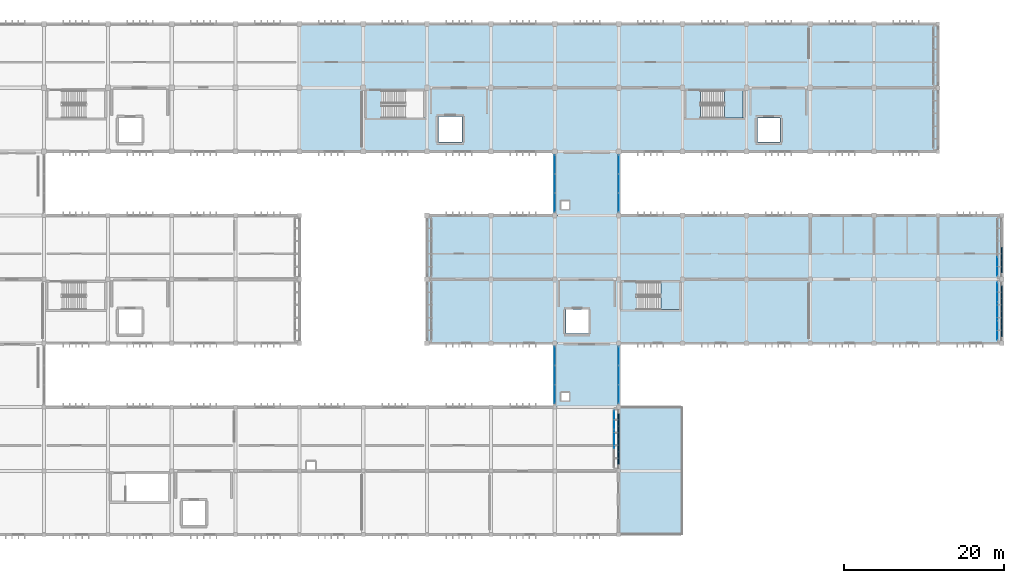
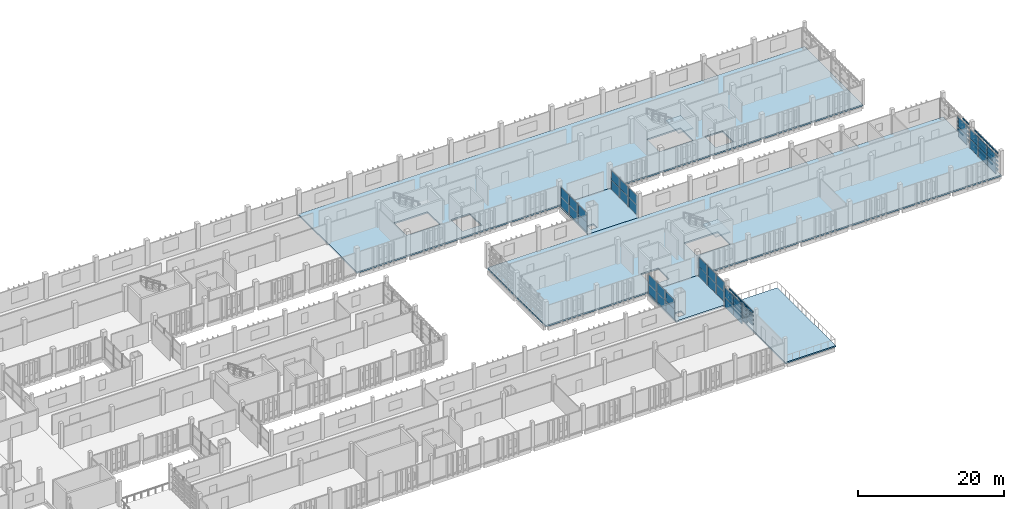
# One storey, part 42 of 63: 84 plates, 7 slabs, 9 elements without a shape of their own.
"""IFC4 building model written with IfcOpenShell, lengths in metres."""

from ifc_helpers import new_model, si_unit, direction, frame, origin, origin_2d, place, context, subcontext, project, spatial, polyline, rectangle, outline, extrude, material, layer, layer_set, type_object, element, aggregate, save


model = new_model("IFC4")

# Units and contexts
model_context = context("Model", 3, precision=1e-05, world=origin(), true_north=direction((0.0, 1.0)))
body_context = subcontext(model_context, "Body", "Model", "MODEL_VIEW")
ifc_project = project(units=[si_unit("LENGTHUNIT", "METRE"), si_unit("AREAUNIT", "SQUARE_METRE"), si_unit("VOLUMEUNIT", "CUBIC_METRE"), si_unit("PLANEANGLEUNIT", "RADIAN"), si_unit("MASSUNIT", "GRAM", prefix="KILO")], contexts=[model_context])

# Site, building, storey
site_placement = place(None, origin())
site = spatial("IfcSite", under=ifc_project, at=site_placement, CompositionType="ELEMENT")
building_placement = place(site_placement, origin())
building = spatial("IfcBuilding", under=site, at=building_placement, Name="Jelvoka-Kovrelna Polytechnic", CompositionType="ELEMENT")
storey_placement = place(building_placement, frame((0.0, 0.0, 18.0)))
storey = spatial("IfcBuildingStorey", under=building, at=storey_placement, Name="L05", CompositionType="ELEMENT", Elevation=18.0)

# Curtain wall, plates
ifc_material_1 = material(Name="Anodised aluminium 6063-T6", Category="aluminium")
ifc_layer_1 = layer(ifc_material_1, 0.159912109375)
ifc_layer_set_1 = layer_set([ifc_layer_1], Name="Anodised aluminium 6063-T6")
curtain_wall_type_1 = type_object("IfcCurtainWallType", Name="CW_Recessed_A", PredefinedType="NOTDEFINED", material=ifc_layer_set_1)
curtain_wall_1_placement = place(storey_placement, origin())
curtain_wall_1 = element("IfcCurtainWall", 1, at=curtain_wall_1_placement, inside=storey, type_object=curtain_wall_type_1, Name="L05 glazed curtain wall 008", PredefinedType="NOTDEFINED")
ifc_material_2 = material(Name="Solar-control double glazing", Category="glass")
ifc_layer_2 = layer(ifc_material_2, 0.028076171875)
ifc_layer_set_2 = layer_set([ifc_layer_2], Name="Solar-control double glazing")
plate_type_1 = type_object("IfcPlateType", Name="Panel_GP-01", PredefinedType="CURTAIN_PANEL", material=ifc_layer_set_2)
plate_1_placement = place(storey_placement, frame((151.43994140625, 22.385009765625, 0.052001953125), z_axis=(0.0, 0.0, 1.0), x_axis=(0.0, -1.0, 0.0)))
plate_1 = element("IfcPlate", 2, at=plate_1_placement, type_object=plate_type_1, Name="CW-01 panel 1.1", PredefinedType="CURTAIN_PANEL", context=body_context, shape_type="SweptSolid", body=[
    extrude(rectangle(XDim=2.326171875, YDim=0.028076171875, at=origin_2d()), origin(), (0.0, 0.0, 1.0), 1.60107421875),
])
plate_2_placement = place(storey_placement, frame((151.43994140625, 22.385009765625, 1.697021484375), z_axis=(0.0, 0.0, 1.0), x_axis=(0.0, -1.0, 0.0)))
plate_2 = element("IfcPlate", 3, at=plate_2_placement, type_object=plate_type_1, Name="CW-01 panel 1.2", PredefinedType="CURTAIN_PANEL", context=body_context, shape_type="SweptSolid", body=[
    extrude(rectangle(XDim=2.326171875, YDim=0.028076171875, at=origin_2d()), origin(), (0.0, 0.0, 1.0), 1.60107421875),
])
plate_3_placement = place(storey_placement, frame((151.43994140625, 20.0, 0.052001953125), z_axis=(0.0, 0.0, 1.0), x_axis=(0.0, -1.0, 0.0)))
plate_3 = element("IfcPlate", 4, at=plate_3_placement, type_object=plate_type_1, Name="CW-01 panel 2.1", PredefinedType="CURTAIN_PANEL", context=body_context, shape_type="SweptSolid", body=[
    extrude(rectangle(XDim=2.356201171875, YDim=0.028076171875, at=origin_2d()), origin(), (0.0, 0.0, 1.0), 1.60107421875),
])
plate_4_placement = place(storey_placement, frame((151.43994140625, 20.0, 1.697021484375), z_axis=(0.0, 0.0, 1.0), x_axis=(0.0, -1.0, 0.0)))
plate_4 = element("IfcPlate", 5, at=plate_4_placement, type_object=plate_type_1, Name="CW-01 panel 2.2", PredefinedType="CURTAIN_PANEL", context=body_context, shape_type="SweptSolid", body=[
    extrude(rectangle(XDim=2.356201171875, YDim=0.028076171875, at=origin_2d()), origin(), (0.0, 0.0, 1.0), 1.60107421875),
])
aggregate(curtain_wall_1, [plate_1, plate_2, plate_3, plate_4])

curtain_wall_2_placement = place(storey_placement, origin())
curtain_wall_2 = element("IfcCurtainWall", 6, at=curtain_wall_2_placement, inside=storey, type_object=curtain_wall_type_1, Name="L05 glazed curtain wall 072", PredefinedType="NOTDEFINED")
plate_5_placement = place(storey_placement, frame((199.43994140625, 38.385009765625, 0.052001953125), z_axis=(0.0, 0.0, 1.0), x_axis=(0.0, -1.0, 0.0)))
plate_5 = element("IfcPlate", 7, at=plate_5_placement, type_object=plate_type_1, Name="CW-01 panel 1.1", PredefinedType="CURTAIN_PANEL", context=body_context, shape_type="SweptSolid", body=[
    extrude(rectangle(XDim=2.326171875, YDim=0.028076171875, at=origin_2d()), origin(), (0.0, 0.0, 1.0), 1.60107421875),
])
plate_6_placement = place(storey_placement, frame((199.43994140625, 38.385009765625, 1.697021484375), z_axis=(0.0, 0.0, 1.0), x_axis=(0.0, -1.0, 0.0)))
plate_6 = element("IfcPlate", 8, at=plate_6_placement, type_object=plate_type_1, Name="CW-01 panel 1.2", PredefinedType="CURTAIN_PANEL", context=body_context, shape_type="SweptSolid", body=[
    extrude(rectangle(XDim=2.326171875, YDim=0.028076171875, at=origin_2d()), origin(), (0.0, 0.0, 1.0), 1.60107421875),
])
plate_7_placement = place(storey_placement, frame((199.43994140625, 36.0, 0.052001953125), z_axis=(0.0, 0.0, 1.0), x_axis=(0.0, -1.0, 0.0)))
plate_7 = element("IfcPlate", 9, at=plate_7_placement, type_object=plate_type_1, Name="CW-01 panel 2.1", PredefinedType="CURTAIN_PANEL", context=body_context, shape_type="SweptSolid", body=[
    extrude(rectangle(XDim=2.356201171875, YDim=0.028076171875, at=origin_2d()), origin(), (0.0, 0.0, 1.0), 1.60107421875),
])
plate_8_placement = place(storey_placement, frame((199.43994140625, 36.0, 1.697021484375), z_axis=(0.0, 0.0, 1.0), x_axis=(0.0, -1.0, 0.0)))
plate_8 = element("IfcPlate", 10, at=plate_8_placement, type_object=plate_type_1, Name="CW-01 panel 2.2", PredefinedType="CURTAIN_PANEL", context=body_context, shape_type="SweptSolid", body=[
    extrude(rectangle(XDim=2.356201171875, YDim=0.028076171875, at=origin_2d()), origin(), (0.0, 0.0, 1.0), 1.60107421875),
])
plate_9_placement = place(storey_placement, frame((199.43994140625, 33.614990234375, 0.052001953125), z_axis=(0.0, 0.0, 1.0), x_axis=(0.0, -1.0, 0.0)))
plate_9 = element("IfcPlate", 11, at=plate_9_placement, type_object=plate_type_1, Name="CW-01 panel 3.1", PredefinedType="CURTAIN_PANEL", context=body_context, shape_type="SweptSolid", body=[
    extrude(rectangle(XDim=2.326171875, YDim=0.028076171875, at=origin_2d()), origin(), (0.0, 0.0, 1.0), 1.60107421875),
])
plate_10_placement = place(storey_placement, frame((199.43994140625, 33.614990234375, 1.697021484375), z_axis=(0.0, 0.0, 1.0), x_axis=(0.0, -1.0, 0.0)))
plate_10 = element("IfcPlate", 12, at=plate_10_placement, type_object=plate_type_1, Name="CW-01 panel 3.2", PredefinedType="CURTAIN_PANEL", context=body_context, shape_type="SweptSolid", body=[
    extrude(rectangle(XDim=2.326171875, YDim=0.028076171875, at=origin_2d()), origin(), (0.0, 0.0, 1.0), 1.60107421875),
])
aggregate(curtain_wall_2, [plate_5, plate_6, plate_7, plate_8, plate_9, plate_10])

curtain_wall_3_placement = place(storey_placement, origin())
curtain_wall_3 = element("IfcCurtainWall", 13, at=curtain_wall_3_placement, inside=storey, type_object=curtain_wall_type_1, Name="L05 glazed curtain wall 073", PredefinedType="NOTDEFINED")
plate_11_placement = place(storey_placement, frame((199.43994140625, 41.614990234375, 0.052001953125), z_axis=(0.0, 0.0, 1.0), x_axis=(0.0, -1.0, 0.0)))
plate_11 = element("IfcPlate", 14, at=plate_11_placement, type_object=plate_type_1, Name="CW-01 panel 3.1", PredefinedType="CURTAIN_PANEL", context=body_context, shape_type="SweptSolid", body=[
    extrude(rectangle(XDim=2.326171875, YDim=0.028076171875, at=origin_2d()), origin(), (0.0, 0.0, 1.0), 1.60107421875),
])
plate_12_placement = place(storey_placement, frame((199.43994140625, 41.614990234375, 1.697021484375), z_axis=(0.0, 0.0, 1.0), x_axis=(0.0, -1.0, 0.0)))
plate_12 = element("IfcPlate", 15, at=plate_12_placement, type_object=plate_type_1, Name="CW-01 panel 3.2", PredefinedType="CURTAIN_PANEL", context=body_context, shape_type="SweptSolid", body=[
    extrude(rectangle(XDim=2.326171875, YDim=0.028076171875, at=origin_2d()), origin(), (0.0, 0.0, 1.0), 1.60107421875),
])
aggregate(curtain_wall_3, [plate_11, plate_12])

ifc_material_3 = material(Name="Anodised aluminium 6063-T6", Category="aluminium")
ifc_layer_3 = layer(ifc_material_3, 0.159912109375)
ifc_layer_set_3 = layer_set([ifc_layer_3], Name="Anodised aluminium 6063-T6")
curtain_wall_type_2 = type_object("IfcCurtainWallType", Name="CW_LinkBridge", PredefinedType="NOTDEFINED", material=ifc_layer_set_3)
curtain_wall_4_placement = place(storey_placement, origin())
curtain_wall_4 = element("IfcCurtainWall", 16, at=curtain_wall_4_placement, inside=storey, type_object=curtain_wall_type_2, Name="L05 glazed curtain wall 144", PredefinedType="NOTDEFINED")
ifc_material_4 = material(Name="Solar-control double glazing", Category="glass")
ifc_layer_4 = layer(ifc_material_4, 0.02392578125)
ifc_layer_set_4 = layer_set([ifc_layer_4], Name="Solar-control double glazing")
plate_type_2 = type_object("IfcPlateType", Name="Panel_GP-04", PredefinedType="CURTAIN_PANEL", material=ifc_layer_set_4)
plate_13_placement = place(storey_placement, frame((144.0, 49.614990234375, 0.052001953125), z_axis=(0.0, 0.0, 1.0), x_axis=(0.0, 1.0, 0.0)))
plate_13 = element("IfcPlate", 17, at=plate_13_placement, type_object=plate_type_2, Name="CW-04 panel 1.1", PredefinedType="CURTAIN_PANEL", context=body_context, shape_type="SweptSolid", body=[
    extrude(rectangle(XDim=2.326171875, YDim=0.02392578125, at=origin_2d()), origin(), (0.0, 0.0, 1.0), 1.593505859375),
])
plate_14_placement = place(storey_placement, frame((144.0, 49.614990234375, 1.689697265625), z_axis=(0.0, 0.0, 1.0), x_axis=(0.0, 1.0, 0.0)))
plate_14 = element("IfcPlate", 18, at=plate_14_placement, type_object=plate_type_2, Name="CW-04 panel 1.2", PredefinedType="CURTAIN_PANEL", context=body_context, shape_type="SweptSolid", body=[
    extrude(rectangle(XDim=2.326171875, YDim=0.02392578125, at=origin_2d()), origin(), (0.0, 0.0, 1.0), 1.593505859375),
])
plate_15_placement = place(storey_placement, frame((144.0, 52.0, 0.052001953125), z_axis=(0.0, 0.0, 1.0), x_axis=(0.0, 1.0, 0.0)))
plate_15 = element("IfcPlate", 19, at=plate_15_placement, type_object=plate_type_2, Name="CW-04 panel 2.1", PredefinedType="CURTAIN_PANEL", context=body_context, shape_type="SweptSolid", body=[
    extrude(rectangle(XDim=2.356201171875, YDim=0.02392578125, at=origin_2d()), origin(), (0.0, 0.0, 1.0), 1.593505859375),
])
plate_16_placement = place(storey_placement, frame((144.0, 52.0, 1.689697265625), z_axis=(0.0, 0.0, 1.0), x_axis=(0.0, 1.0, 0.0)))
plate_16 = element("IfcPlate", 20, at=plate_16_placement, type_object=plate_type_2, Name="CW-04 panel 2.2", PredefinedType="CURTAIN_PANEL", context=body_context, shape_type="SweptSolid", body=[
    extrude(rectangle(XDim=2.356201171875, YDim=0.02392578125, at=origin_2d()), origin(), (0.0, 0.0, 1.0), 1.593505859375),
])
plate_17_placement = place(storey_placement, frame((144.0, 54.385009765625, 0.052001953125), z_axis=(0.0, 0.0, 1.0), x_axis=(0.0, 1.0, 0.0)))
plate_17 = element("IfcPlate", 21, at=plate_17_placement, type_object=plate_type_2, Name="CW-04 panel 3.1", PredefinedType="CURTAIN_PANEL", context=body_context, shape_type="SweptSolid", body=[
    extrude(rectangle(XDim=2.326171875, YDim=0.02392578125, at=origin_2d()), origin(), (0.0, 0.0, 1.0), 1.593505859375),
])
plate_18_placement = place(storey_placement, frame((144.0, 54.385009765625, 1.689697265625), z_axis=(0.0, 0.0, 1.0), x_axis=(0.0, 1.0, 0.0)))
plate_18 = element("IfcPlate", 22, at=plate_18_placement, type_object=plate_type_2, Name="CW-04 panel 3.2", PredefinedType="CURTAIN_PANEL", context=body_context, shape_type="SweptSolid", body=[
    extrude(rectangle(XDim=2.326171875, YDim=0.02392578125, at=origin_2d()), origin(), (0.0, 0.0, 1.0), 1.593505859375),
])
aggregate(curtain_wall_4, [plate_13, plate_14, plate_15, plate_16, plate_17, plate_18])

curtain_wall_5_placement = place(storey_placement, origin())
curtain_wall_5 = element("IfcCurtainWall", 23, at=curtain_wall_5_placement, inside=storey, type_object=curtain_wall_type_2, Name="L05 glazed curtain wall 145", PredefinedType="NOTDEFINED")
plate_19_placement = place(storey_placement, frame((152.0, 54.385009765625, 0.052001953125), z_axis=(0.0, 0.0, 1.0), x_axis=(0.0, -1.0, 0.0)))
plate_19 = element("IfcPlate", 24, at=plate_19_placement, type_object=plate_type_2, Name="CW-04 panel 1.1", PredefinedType="CURTAIN_PANEL", context=body_context, shape_type="SweptSolid", body=[
    extrude(rectangle(XDim=2.326171875, YDim=0.02392578125, at=origin_2d()), origin(), (0.0, 0.0, 1.0), 1.593505859375),
])
plate_20_placement = place(storey_placement, frame((152.0, 54.385009765625, 1.689697265625), z_axis=(0.0, 0.0, 1.0), x_axis=(0.0, -1.0, 0.0)))
plate_20 = element("IfcPlate", 25, at=plate_20_placement, type_object=plate_type_2, Name="CW-04 panel 1.2", PredefinedType="CURTAIN_PANEL", context=body_context, shape_type="SweptSolid", body=[
    extrude(rectangle(XDim=2.326171875, YDim=0.02392578125, at=origin_2d()), origin(), (0.0, 0.0, 1.0), 1.593505859375),
])
plate_21_placement = place(storey_placement, frame((152.0, 52.0, 0.052001953125), z_axis=(0.0, 0.0, 1.0), x_axis=(0.0, -1.0, 0.0)))
plate_21 = element("IfcPlate", 26, at=plate_21_placement, type_object=plate_type_2, Name="CW-04 panel 2.1", PredefinedType="CURTAIN_PANEL", context=body_context, shape_type="SweptSolid", body=[
    extrude(rectangle(XDim=2.356201171875, YDim=0.02392578125, at=origin_2d()), origin(), (0.0, 0.0, 1.0), 1.593505859375),
])
plate_22_placement = place(storey_placement, frame((152.0, 52.0, 1.689697265625), z_axis=(0.0, 0.0, 1.0), x_axis=(0.0, -1.0, 0.0)))
plate_22 = element("IfcPlate", 27, at=plate_22_placement, type_object=plate_type_2, Name="CW-04 panel 2.2", PredefinedType="CURTAIN_PANEL", context=body_context, shape_type="SweptSolid", body=[
    extrude(rectangle(XDim=2.356201171875, YDim=0.02392578125, at=origin_2d()), origin(), (0.0, 0.0, 1.0), 1.593505859375),
])
plate_23_placement = place(storey_placement, frame((152.0, 49.614990234375, 0.052001953125), z_axis=(0.0, 0.0, 1.0), x_axis=(0.0, -1.0, 0.0)))
plate_23 = element("IfcPlate", 28, at=plate_23_placement, type_object=plate_type_2, Name="CW-04 panel 3.1", PredefinedType="CURTAIN_PANEL", context=body_context, shape_type="SweptSolid", body=[
    extrude(rectangle(XDim=2.326171875, YDim=0.02392578125, at=origin_2d()), origin(), (0.0, 0.0, 1.0), 1.593505859375),
])
plate_24_placement = place(storey_placement, frame((152.0, 49.614990234375, 1.689697265625), z_axis=(0.0, 0.0, 1.0), x_axis=(0.0, -1.0, 0.0)))
plate_24 = element("IfcPlate", 29, at=plate_24_placement, type_object=plate_type_2, Name="CW-04 panel 3.2", PredefinedType="CURTAIN_PANEL", context=body_context, shape_type="SweptSolid", body=[
    extrude(rectangle(XDim=2.326171875, YDim=0.02392578125, at=origin_2d()), origin(), (0.0, 0.0, 1.0), 1.593505859375),
])
aggregate(curtain_wall_5, [plate_19, plate_20, plate_21, plate_22, plate_23, plate_24])

curtain_wall_6_placement = place(storey_placement, origin())
curtain_wall_6 = element("IfcCurtainWall", 30, at=curtain_wall_6_placement, inside=storey, type_object=curtain_wall_type_2, Name="L05 glazed curtain wall 150", PredefinedType="NOTDEFINED")
plate_25_placement = place(storey_placement, frame((144.0, 25.614990234375, 0.052001953125), z_axis=(0.0, 0.0, 1.0), x_axis=(0.0, 1.0, 0.0)))
plate_25 = element("IfcPlate", 31, at=plate_25_placement, type_object=plate_type_2, Name="CW-04 panel 1.1", PredefinedType="CURTAIN_PANEL", context=body_context, shape_type="SweptSolid", body=[
    extrude(rectangle(XDim=2.326171875, YDim=0.02392578125, at=origin_2d()), origin(), (0.0, 0.0, 1.0), 1.60107421875),
])
plate_26_placement = place(storey_placement, frame((144.0, 25.614990234375, 1.697021484375), z_axis=(0.0, 0.0, 1.0), x_axis=(0.0, 1.0, 0.0)))
plate_26 = element("IfcPlate", 32, at=plate_26_placement, type_object=plate_type_2, Name="CW-04 panel 1.2", PredefinedType="CURTAIN_PANEL", context=body_context, shape_type="SweptSolid", body=[
    extrude(rectangle(XDim=2.326171875, YDim=0.02392578125, at=origin_2d()), origin(), (0.0, 0.0, 1.0), 1.60107421875),
])
plate_27_placement = place(storey_placement, frame((144.0, 28.0, 0.052001953125), z_axis=(0.0, 0.0, 1.0), x_axis=(0.0, 1.0, 0.0)))
plate_27 = element("IfcPlate", 33, at=plate_27_placement, type_object=plate_type_2, Name="CW-04 panel 2.1", PredefinedType="CURTAIN_PANEL", context=body_context, shape_type="SweptSolid", body=[
    extrude(rectangle(XDim=2.356201171875, YDim=0.02392578125, at=origin_2d()), origin(), (0.0, 0.0, 1.0), 1.60107421875),
])
plate_28_placement = place(storey_placement, frame((144.0, 28.0, 1.697021484375), z_axis=(0.0, 0.0, 1.0), x_axis=(0.0, 1.0, 0.0)))
plate_28 = element("IfcPlate", 34, at=plate_28_placement, type_object=plate_type_2, Name="CW-04 panel 2.2", PredefinedType="CURTAIN_PANEL", context=body_context, shape_type="SweptSolid", body=[
    extrude(rectangle(XDim=2.356201171875, YDim=0.02392578125, at=origin_2d()), origin(), (0.0, 0.0, 1.0), 1.60107421875),
])
plate_29_placement = place(storey_placement, frame((144.0, 30.385009765625, 0.052001953125), z_axis=(0.0, 0.0, 1.0), x_axis=(0.0, 1.0, 0.0)))
plate_29 = element("IfcPlate", 35, at=plate_29_placement, type_object=plate_type_2, Name="CW-04 panel 3.1", PredefinedType="CURTAIN_PANEL", context=body_context, shape_type="SweptSolid", body=[
    extrude(rectangle(XDim=2.326171875, YDim=0.02392578125, at=origin_2d()), origin(), (0.0, 0.0, 1.0), 1.60107421875),
])
plate_30_placement = place(storey_placement, frame((144.0, 30.385009765625, 1.697021484375), z_axis=(0.0, 0.0, 1.0), x_axis=(0.0, 1.0, 0.0)))
plate_30 = element("IfcPlate", 36, at=plate_30_placement, type_object=plate_type_2, Name="CW-04 panel 3.2", PredefinedType="CURTAIN_PANEL", context=body_context, shape_type="SweptSolid", body=[
    extrude(rectangle(XDim=2.326171875, YDim=0.02392578125, at=origin_2d()), origin(), (0.0, 0.0, 1.0), 1.60107421875),
])
aggregate(curtain_wall_6, [plate_25, plate_26, plate_27, plate_28, plate_29, plate_30])

curtain_wall_7_placement = place(storey_placement, origin())
curtain_wall_7 = element("IfcCurtainWall", 37, at=curtain_wall_7_placement, inside=storey, type_object=curtain_wall_type_2, Name="L05 glazed curtain wall 151", PredefinedType="NOTDEFINED")
plate_31_placement = place(storey_placement, frame((152.0, 30.385009765625, 0.052001953125), z_axis=(0.0, 0.0, 1.0), x_axis=(0.0, -1.0, 0.0)))
plate_31 = element("IfcPlate", 38, at=plate_31_placement, type_object=plate_type_2, Name="CW-04 panel 1.1", PredefinedType="CURTAIN_PANEL", context=body_context, shape_type="SweptSolid", body=[
    extrude(rectangle(XDim=2.326171875, YDim=0.02392578125, at=origin_2d()), origin(), (0.0, 0.0, 1.0), 1.60107421875),
])
plate_32_placement = place(storey_placement, frame((152.0, 30.385009765625, 1.697021484375), z_axis=(0.0, 0.0, 1.0), x_axis=(0.0, -1.0, 0.0)))
plate_32 = element("IfcPlate", 39, at=plate_32_placement, type_object=plate_type_2, Name="CW-04 panel 1.2", PredefinedType="CURTAIN_PANEL", context=body_context, shape_type="SweptSolid", body=[
    extrude(rectangle(XDim=2.326171875, YDim=0.02392578125, at=origin_2d()), origin(), (0.0, 0.0, 1.0), 1.60107421875),
])
plate_33_placement = place(storey_placement, frame((152.0, 28.0, 0.052001953125), z_axis=(0.0, 0.0, 1.0), x_axis=(0.0, -1.0, 0.0)))
plate_33 = element("IfcPlate", 40, at=plate_33_placement, type_object=plate_type_2, Name="CW-04 panel 2.1", PredefinedType="CURTAIN_PANEL", context=body_context, shape_type="SweptSolid", body=[
    extrude(rectangle(XDim=2.356201171875, YDim=0.02392578125, at=origin_2d()), origin(), (0.0, 0.0, 1.0), 1.60107421875),
])
plate_34_placement = place(storey_placement, frame((152.0, 28.0, 1.697021484375), z_axis=(0.0, 0.0, 1.0), x_axis=(0.0, -1.0, 0.0)))
plate_34 = element("IfcPlate", 41, at=plate_34_placement, type_object=plate_type_2, Name="CW-04 panel 2.2", PredefinedType="CURTAIN_PANEL", context=body_context, shape_type="SweptSolid", body=[
    extrude(rectangle(XDim=2.356201171875, YDim=0.02392578125, at=origin_2d()), origin(), (0.0, 0.0, 1.0), 1.60107421875),
])
plate_35_placement = place(storey_placement, frame((152.0, 25.614990234375, 0.052001953125), z_axis=(0.0, 0.0, 1.0), x_axis=(0.0, -1.0, 0.0)))
plate_35 = element("IfcPlate", 42, at=plate_35_placement, type_object=plate_type_2, Name="CW-04 panel 3.1", PredefinedType="CURTAIN_PANEL", context=body_context, shape_type="SweptSolid", body=[
    extrude(rectangle(XDim=2.326171875, YDim=0.02392578125, at=origin_2d()), origin(), (0.0, 0.0, 1.0), 1.60107421875),
])
plate_36_placement = place(storey_placement, frame((152.0, 25.614990234375, 1.697021484375), z_axis=(0.0, 0.0, 1.0), x_axis=(0.0, -1.0, 0.0)))
plate_36 = element("IfcPlate", 43, at=plate_36_placement, type_object=plate_type_2, Name="CW-04 panel 3.2", PredefinedType="CURTAIN_PANEL", context=body_context, shape_type="SweptSolid", body=[
    extrude(rectangle(XDim=2.326171875, YDim=0.02392578125, at=origin_2d()), origin(), (0.0, 0.0, 1.0), 1.60107421875),
])
aggregate(curtain_wall_7, [plate_31, plate_32, plate_33, plate_34, plate_35, plate_36])

# Plates
ifc_material_5 = material(Name="Perforated fired terracotta block", Category="masonry")
ifc_layer_5 = layer(ifc_material_5, 0.159912109375)
ifc_layer_set_5 = layer_set([ifc_layer_5], Name="Perforated fired terracotta block")
plate_type_3 = type_object("IfcPlateType", Name="Screen_Terracotta_TP01", PredefinedType="USERDEFINED", material=ifc_layer_set_5)
for number, where, z_axis, x_axis, name in (
    (44, (199.97998046875, 33.60009765625, 0.2001953125), (0.0, 0.0, 1.0), (0.0, 1.0, 0.0), "L05 perforated terracotta lattice band 0781"),
    (45, (199.97998046875, 33.60009765625, 0.892578125), (0.0, 0.0, 1.0), (0.0, 1.0, 0.0), "L05 perforated terracotta lattice band 0782"),
    (46, (199.97998046875, 33.60009765625, 1.5849609375), (0.0, 0.0, 1.0), (0.0, 1.0, 0.0), "L05 perforated terracotta lattice band 0783"),
    (47, (199.97998046875, 33.60009765625, 2.27734375), (0.0, 0.0, 1.0), (0.0, 1.0, 0.0), "L05 perforated terracotta lattice band 0784"),
    (48, (199.97998046875, 33.60009765625, 2.97021484375), (0.0, 0.0, 1.0), (0.0, 1.0, 0.0), "L05 perforated terracotta lattice band 0785"),
    (49, (199.97998046875, 35.199951171875, 0.2001953125), (0.0, 0.0, 1.0), (0.0, 1.0, 0.0), "L05 perforated terracotta lattice band 0786"),
    (50, (199.97998046875, 35.199951171875, 0.892578125), (0.0, 0.0, 1.0), (0.0, 1.0, 0.0), "L05 perforated terracotta lattice band 0787"),
    (51, (199.97998046875, 35.199951171875, 1.5849609375), (0.0, 0.0, 1.0), (0.0, 1.0, 0.0), "L05 perforated terracotta lattice band 0788"),
    (52, (199.97998046875, 35.199951171875, 2.27734375), (0.0, 0.0, 1.0), (0.0, 1.0, 0.0), "L05 perforated terracotta lattice band 0789"),
    (53, (199.97998046875, 35.199951171875, 2.97021484375), (0.0, 0.0, 1.0), (0.0, 1.0, 0.0), "L05 perforated terracotta lattice band 0790"),
    (54, (199.97998046875, 36.800048828125, 0.2001953125), (0.0, 0.0, 1.0), (0.0, 1.0, 0.0), "L05 perforated terracotta lattice band 0791"),
    (55, (199.97998046875, 36.800048828125, 0.892578125), (0.0, 0.0, 1.0), (0.0, 1.0, 0.0), "L05 perforated terracotta lattice band 0792"),
    (56, (199.97998046875, 36.800048828125, 1.5849609375), (0.0, 0.0, 1.0), (0.0, 1.0, 0.0), "L05 perforated terracotta lattice band 0793"),
    (57, (199.97998046875, 36.800048828125, 2.27734375), (0.0, 0.0, 1.0), (0.0, 1.0, 0.0), "L05 perforated terracotta lattice band 0794"),
    (58, (199.97998046875, 36.800048828125, 2.97021484375), (0.0, 0.0, 1.0), (0.0, 1.0, 0.0), "L05 perforated terracotta lattice band 0795"),
    (59, (199.97998046875, 38.39990234375, 0.2001953125), (0.0, 0.0, 1.0), (0.0, 1.0, 0.0), "L05 perforated terracotta lattice band 0796"),
    (60, (199.97998046875, 38.39990234375, 0.892578125), (0.0, 0.0, 1.0), (0.0, 1.0, 0.0), "L05 perforated terracotta lattice band 0797"),
    (61, (199.97998046875, 38.39990234375, 1.5849609375), (0.0, 0.0, 1.0), (0.0, 1.0, 0.0), "L05 perforated terracotta lattice band 0798"),
    (62, (199.97998046875, 38.39990234375, 2.27734375), (0.0, 0.0, 1.0), (0.0, 1.0, 0.0), "L05 perforated terracotta lattice band 0799"),
    (63, (199.97998046875, 38.39990234375, 2.97021484375), (0.0, 0.0, 1.0), (0.0, 1.0, 0.0), "L05 perforated terracotta lattice band 0800"),
    (64, (199.97998046875, 41.60009765625, 0.2001953125), (0.0, 0.0, 1.0), (0.0, 1.0, 0.0), "L05 perforated terracotta lattice band 0801"),
    (65, (199.97998046875, 41.60009765625, 0.892578125), (0.0, 0.0, 1.0), (0.0, 1.0, 0.0), "L05 perforated terracotta lattice band 0802"),
    (66, (199.97998046875, 41.60009765625, 1.5849609375), (0.0, 0.0, 1.0), (0.0, 1.0, 0.0), "L05 perforated terracotta lattice band 0803"),
    (67, (199.97998046875, 41.60009765625, 2.27734375), (0.0, 0.0, 1.0), (0.0, 1.0, 0.0), "L05 perforated terracotta lattice band 0804"),
    (68, (199.97998046875, 41.60009765625, 2.97021484375), (0.0, 0.0, 1.0), (0.0, 1.0, 0.0), "L05 perforated terracotta lattice band 0805"),
    (69, (199.97998046875, 43.199951171875, 0.2001953125), (0.0, 0.0, 1.0), (0.0, 1.0, 0.0), "L05 perforated terracotta lattice band 0806"),
    (70, (199.97998046875, 43.199951171875, 0.892578125), (0.0, 0.0, 1.0), (0.0, 1.0, 0.0), "L05 perforated terracotta lattice band 0807"),
    (71, (199.97998046875, 43.199951171875, 1.5849609375), (0.0, 0.0, 1.0), (0.0, 1.0, 0.0), "L05 perforated terracotta lattice band 0808"),
    (72, (199.97998046875, 43.199951171875, 2.27734375), (0.0, 0.0, 1.0), (0.0, 1.0, 0.0), "L05 perforated terracotta lattice band 0809"),
):
    element("IfcPlate", number, at=place(storey_placement, frame(where, z_axis=z_axis, x_axis=x_axis)), inside=storey, type_object=plate_type_3, Name=name, ObjectType="SCREEN PANEL", PredefinedType="USERDEFINED", context=body_context, shape_type="SweptSolid", body=[
        extrude(rectangle(XDim=1.60009765625, YDim=0.159912109375, at=origin_2d()), origin(), (0.0, 0.0, 1.0), 0.239990234375),
    ])
ifc_material_6 = material(Name="Perforated fired terracotta block", Category="masonry")
ifc_layer_6 = layer(ifc_material_6, 0.14990234375)
ifc_layer_set_6 = layer_set([ifc_layer_6], Name="Perforated fired terracotta block")
plate_type_4 = type_object("IfcPlateType", Name="Screen_Terracotta_TP03", PredefinedType="USERDEFINED", material=ifc_layer_set_6)
for number, where, z_axis, x_axis, name in (
    (73, (151.97998046875, 17.60009765625, 0.927734375), (0.0, 0.0, 1.0), (0.0, 1.0, 0.0), "L05 perforated terracotta lattice band 0142"),
    (74, (151.97998046875, 17.60009765625, 1.60498046875), (0.0, 0.0, 1.0), (0.0, 1.0, 0.0), "L05 perforated terracotta lattice band 0143"),
    (75, (151.97998046875, 17.60009765625, 2.28271484375), (0.0, 0.0, 1.0), (0.0, 1.0, 0.0), "L05 perforated terracotta lattice band 0144"),
    (76, (151.97998046875, 17.60009765625, 2.9599609375), (0.0, 0.0, 1.0), (0.0, 1.0, 0.0), "L05 perforated terracotta lattice band 0145"),
    (77, (151.97998046875, 19.199951171875, 0.25), (0.0, 0.0, 1.0), (0.0, 1.0, 0.0), "L05 perforated terracotta lattice band 0146"),
    (78, (151.97998046875, 19.199951171875, 0.927734375), (0.0, 0.0, 1.0), (0.0, 1.0, 0.0), "L05 perforated terracotta lattice band 0147"),
    (79, (151.97998046875, 19.199951171875, 1.60498046875), (0.0, 0.0, 1.0), (0.0, 1.0, 0.0), "L05 perforated terracotta lattice band 0148"),
    (80, (151.97998046875, 19.199951171875, 2.28271484375), (0.0, 0.0, 1.0), (0.0, 1.0, 0.0), "L05 perforated terracotta lattice band 0149"),
    (81, (151.97998046875, 19.199951171875, 2.9599609375), (0.0, 0.0, 1.0), (0.0, 1.0, 0.0), "L05 perforated terracotta lattice band 0150"),
    (82, (151.97998046875, 20.800048828125, 0.25), (0.0, 0.0, 1.0), (0.0, 1.0, 0.0), "L05 perforated terracotta lattice band 0151"),
    (83, (151.97998046875, 20.800048828125, 0.927734375), (0.0, 0.0, 1.0), (0.0, 1.0, 0.0), "L05 perforated terracotta lattice band 0152"),
    (84, (151.97998046875, 20.800048828125, 1.60498046875), (0.0, 0.0, 1.0), (0.0, 1.0, 0.0), "L05 perforated terracotta lattice band 0153"),
    (85, (151.97998046875, 20.800048828125, 2.28271484375), (0.0, 0.0, 1.0), (0.0, 1.0, 0.0), "L05 perforated terracotta lattice band 0154"),
    (86, (151.97998046875, 20.800048828125, 2.9599609375), (0.0, 0.0, 1.0), (0.0, 1.0, 0.0), "L05 perforated terracotta lattice band 0155"),
    (87, (151.97998046875, 22.39990234375, 0.25), (0.0, 0.0, 1.0), (0.0, 1.0, 0.0), "L05 perforated terracotta lattice band 0156"),
    (88, (151.97998046875, 22.39990234375, 0.927734375), (0.0, 0.0, 1.0), (0.0, 1.0, 0.0), "L05 perforated terracotta lattice band 0157"),
    (89, (151.97998046875, 22.39990234375, 1.60498046875), (0.0, 0.0, 1.0), (0.0, 1.0, 0.0), "L05 perforated terracotta lattice band 0158"),
    (90, (151.97998046875, 22.39990234375, 2.28271484375), (0.0, 0.0, 1.0), (0.0, 1.0, 0.0), "L05 perforated terracotta lattice band 0159"),
    (91, (151.97998046875, 22.39990234375, 2.9599609375), (0.0, 0.0, 1.0), (0.0, 1.0, 0.0), "L05 perforated terracotta lattice band 0160"),
):
    element("IfcPlate", number, at=place(storey_placement, frame(where, z_axis=z_axis, x_axis=x_axis)), inside=storey, type_object=plate_type_4, Name=name, ObjectType="SCREEN PANEL", PredefinedType="USERDEFINED", context=body_context, shape_type="SweptSolid", body=[
        extrude(rectangle(XDim=1.56005859375, YDim=0.14990234375, at=origin_2d()), origin(), (0.0, 0.0, 1.0), 0.260009765625),
    ])

# Slabs
ifc_material_7 = material(Name="Concrete C35/45", Category="concrete")
ifc_layer_7 = layer(ifc_material_7, 0.25)
ifc_layer_set_7 = layer_set([ifc_layer_7], Name="Concrete C35/45")
slab_type_1 = type_object("IfcSlabType", Name="Slab_Floor_250", PredefinedType="FLOOR", material=ifc_layer_set_7)
slab_1_placement = place(storey_placement, frame((0.0, 0.0, -0.25)))
element("IfcSlab", 92, at=slab_1_placement, inside=storey, type_object=slab_type_1, Name="L05 B2E structural slab", PredefinedType="FLOOR", context=body_context, shape_type="SweptSolid", body=[
    extrude(outline(polyline([(128.0, 32.0), (200.0, 32.0), (200.0, 48.0), (128.0, 48.0), (128.0, 32.0)]), holes=[polyline([(145.39990234375, 33.199951171875), (148.199951171875, 33.199951171875), (148.199951171875, 36.199951171875), (145.39990234375, 36.199951171875), (145.39990234375, 33.199951171875)]), polyline([(154.264892578125, 36.199951171875), (159.60009765625, 36.199951171875), (159.60009765625, 39.639892578125), (154.264892578125, 39.639892578125), (154.264892578125, 36.199951171875)])]), origin(), (0.0, 0.0, 1.0), 0.25),
])
slab_2_placement = place(storey_placement, frame((0.0, 0.0, -0.25)))
element("IfcSlab", 93, at=slab_2_placement, inside=storey, type_object=slab_type_1, Name="L05 B3E structural slab", PredefinedType="FLOOR", context=body_context, shape_type="SweptSolid", body=[
    extrude(outline(polyline([(112.0, 56.0), (192.0, 56.0), (192.0, 72.0), (112.0, 72.0), (112.0, 56.0)]), holes=[polyline([(169.39990234375, 57.199951171875), (172.199951171875, 57.199951171875), (172.199951171875, 60.199951171875), (169.39990234375, 60.199951171875), (169.39990234375, 57.199951171875)]), polyline([(129.39990234375, 57.199951171875), (132.39990234375, 57.199951171875), (132.39990234375, 60.39990234375), (129.39990234375, 60.39990234375), (129.39990234375, 57.199951171875)]), polyline([(162.264892578125, 60.199951171875), (167.60009765625, 60.199951171875), (167.60009765625, 63.639892578125), (162.264892578125, 63.639892578125), (162.264892578125, 60.199951171875)]), polyline([(122.264892578125, 60.199951171875), (127.60009765625, 60.199951171875), (127.60009765625, 63.639892578125), (122.264892578125, 63.639892578125), (122.264892578125, 60.199951171875)])]), origin(), (0.0, 0.0, 1.0), 0.25),
])
slab_3_placement = place(storey_placement, frame((0.0, 0.0, -0.25)))
element("IfcSlab", 94, at=slab_3_placement, inside=storey, type_object=slab_type_1, Name="L05 LNKSE structural slab", PredefinedType="FLOOR", context=body_context, shape_type="SweptSolid", body=[
    extrude(outline(polyline([(144.0, 24.0), (152.0, 24.0), (152.0, 32.0), (144.0, 32.0), (144.0, 24.0)]), holes=[polyline([(144.800048828125, 24.800048828125), (145.800048828125, 24.800048828125), (145.800048828125, 25.800048828125), (144.800048828125, 25.800048828125), (144.800048828125, 24.800048828125)])]), origin(), (0.0, 0.0, 1.0), 0.25),
])
slab_4_placement = place(storey_placement, frame((0.0, 0.0, -0.25)))
element("IfcSlab", 95, at=slab_4_placement, inside=storey, type_object=slab_type_1, Name="L05 LNKNE structural slab", PredefinedType="FLOOR", context=body_context, shape_type="SweptSolid", body=[
    extrude(outline(polyline([(144.0, 48.0), (152.0, 48.0), (152.0, 56.0), (144.0, 56.0), (144.0, 48.0)]), holes=[polyline([(144.800048828125, 48.800048828125), (145.800048828125, 48.800048828125), (145.800048828125, 49.800048828125), (144.800048828125, 49.800048828125), (144.800048828125, 48.800048828125)])]), origin(), (0.0, 0.0, 1.0), 0.25),
])

# Stair, slab
ifc_material_8 = material(Name="Concrete C35/45", Category="concrete")
stair_type = type_object("IfcStairType", Name="Stair_Dogleg_1620", PredefinedType="TWO_STRAIGHT_RUN_STAIR", material=ifc_material_8)
stair_1_placement = place(storey_placement, origin())
stair_1 = element("IfcStair", 96, at=stair_1_placement, inside=storey, type_object=stair_type, Name="L05 ST08", PredefinedType="TWO_STRAIGHT_RUN_STAIR")
ifc_material_9 = material(Name="Concrete C35/45", Category="concrete")
ifc_layer_8 = layer(ifc_material_9, 0.199951171875)
ifc_layer_set_8 = layer_set([ifc_layer_8], Name="Concrete C35/45")
slab_type_2 = type_object("IfcSlabType", Name="Slab_Stair_Landing_200", PredefinedType="LANDING", material=ifc_layer_set_8)
slab_5_placement = place(storey_placement, frame((0.0, 0.0, 1.89990234375)))
slab_5 = element("IfcSlab", 97, at=slab_5_placement, type_object=slab_type_2, Name="ST08 landing 1", PredefinedType="LANDING", context=body_context, shape_type="SweptSolid", body=[
    extrude(outline(polyline([(157.27490234375, 36.199951171875), (159.60009765625, 36.199951171875), (159.60009765625, 39.639892578125), (157.27490234375, 39.639892578125), (157.27490234375, 36.199951171875)])), origin(), (0.0, 0.0, 1.0), 0.2001953125),
])
aggregate(stair_1, [slab_5])

stair_2_placement = place(storey_placement, origin())
stair_2 = element("IfcStair", 98, at=stair_2_placement, inside=storey, type_object=stair_type, Name="L05 ST10", PredefinedType="TWO_STRAIGHT_RUN_STAIR")
slab_6_placement = place(storey_placement, frame((0.0, 0.0, 1.89990234375)))
slab_6 = element("IfcSlab", 99, at=slab_6_placement, type_object=slab_type_2, Name="ST10 landing 1", PredefinedType="LANDING", context=body_context, shape_type="SweptSolid", body=[
    extrude(outline(polyline([(165.27490234375, 60.199951171875), (167.60009765625, 60.199951171875), (167.60009765625, 63.639892578125), (165.27490234375, 63.639892578125), (165.27490234375, 60.199951171875)])), origin(), (0.0, 0.0, 1.0), 0.2001953125),
])
aggregate(stair_2, [slab_6])

# Slab
ifc_material_10 = material(Name="Concrete C35/45", Category="concrete")
ifc_layer_9 = layer(ifc_material_10, 0.219970703125)
ifc_layer_set_9 = layer_set([ifc_layer_9], Name="Concrete C35/45")
slab_type_3 = type_object("IfcSlabType", Name="Slab_Terrace_220", PredefinedType="FLOOR", material=ifc_layer_set_9)
slab_7_placement = place(storey_placement, frame((0.0, 0.0, -0.219970703125)))
element("IfcSlab", 100, at=slab_7_placement, inside=storey, type_object=slab_type_3, Name="L05 outdoor setback terrace TER-L05-B1E", PredefinedType="FLOOR", context=body_context, shape_type="SweptSolid", body=[
    extrude(outline(polyline([(152.0, 8.0), (160.0, 8.0), (160.0, 24.0), (152.0, 24.0), (152.0, 8.0)])), origin(), (0.0, 0.0, 1.0), 0.219970703125),
])

save(model, "model.ifc")
